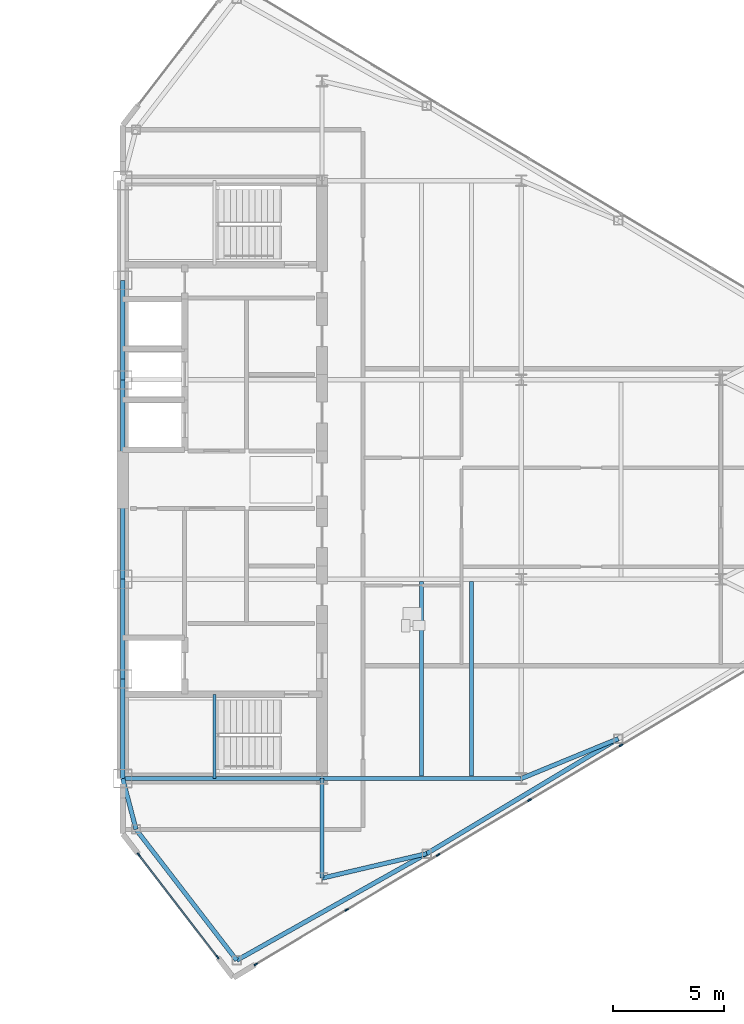
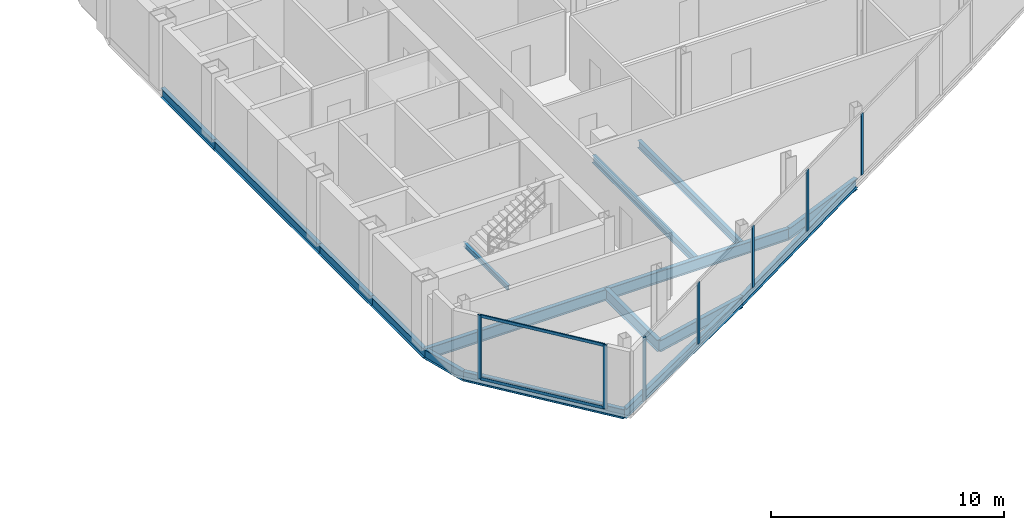
# One storey, part 11 of 26: 16 beams, 9 members, 2 elements without a shape of their own.
"""IFC4 building model written with IfcOpenShell, lengths in metres."""

from ifc_helpers import new_model, si_unit, direction, frame, origin, origin_2d, place, context, subcontext, project, spatial, rectangle, i_section, extrude, source, transform, mapped, material, layer, layer_set, material_profile, profile_set, type_object, type_shapes, element, aggregate, save


model = new_model("IFC4")

# Units and contexts
model_context = context("Model", 3, precision=1e-05, world=origin(), true_north=direction((0.0, 1.0)))
body_context = subcontext(model_context, "Body", "Model", "MODEL_VIEW")
ifc_project = project(units=[si_unit("LENGTHUNIT", "METRE"), si_unit("AREAUNIT", "SQUARE_METRE"), si_unit("VOLUMEUNIT", "CUBIC_METRE"), si_unit("PLANEANGLEUNIT", "RADIAN"), si_unit("MASSUNIT", "GRAM", prefix="KILO")], contexts=[model_context])

# Site, building, storey
site_placement = place(None, origin())
site = spatial("IfcSite", under=ifc_project, at=site_placement, CompositionType="ELEMENT")
building_placement = place(site_placement, origin())
building = spatial("IfcBuilding", under=site, at=building_placement, Name="Seokmaru Belvedere", CompositionType="ELEMENT")
storey_placement = place(building_placement, frame((0.0, 0.0, 221.10009765625)))
storey = spatial("IfcBuildingStorey", under=building, at=storey_placement, Name="L59", CompositionType="ELEMENT", Elevation=221.10009765625)

# Beams
ifc_material_1 = material(Name="Steel SM355 (355 MPa)", Category="steel")
ifc_material_profile_1 = material_profile(ifc_material_1, i_section(OverallWidth=0.199951171875, OverallDepth=0.5, WebThickness=0.010009765625, FlangeThickness=0.01611328125, at=origin_2d()), Name="H-500x200x10x16")
ifc_profile_set_1 = profile_set([ifc_material_profile_1], Name="Steel SM355 (355 MPa)")
beam_type_1 = type_object("IfcBeamType", Name="Perimeter Spandrel Beam H-500", PredefinedType="SPANDREL", material=ifc_profile_set_1)
shared_shape_1 = source(origin(), body_context, "Body", "SweptSolid", [
    extrude(i_section(OverallWidth=0.199951171875, OverallDepth=0.5, WebThickness=0.010009765625, FlangeThickness=0.01611328125, at=origin_2d()), origin(), (0.0, 0.0, 1.0), 4.5),
])
for number, where, z_axis, x_axis, name in (
    (1, (27.5, -13.5, -0.47021484375), (0.0, 1.0, 0.0), (-1.0, 0.0, 0.0), "L59 E Portal Spine Spandrel 1"),
    (2, (27.5, -9.0, -0.47021484375), (0.0, 1.0, 0.0), (-1.0, 0.0, 0.0), "L59 E Portal Spine Spandrel 2"),
    (3, (27.5, 4.5, -0.47021484375), (0.0, 1.0, 0.0), (-1.0, 0.0, 0.0), "L59 E Portal Spine Spandrel 4"),
):
    element("IfcBeam", number, at=place(storey_placement, frame(where, z_axis=z_axis, x_axis=x_axis)), inside=storey, type_object=beam_type_1, Name=name, PredefinedType="SPANDREL", context=body_context, shape_type="MappedRepresentation", body=[
        mapped(shared_shape_1, transform((0.0, 0.0, 0.0), scale=1.0)),
    ])
shared_shape_2 = source(origin(), body_context, "Body", "SweptSolid", [
    extrude(i_section(OverallWidth=0.199951171875, OverallDepth=0.5, WebThickness=0.010009765625, FlangeThickness=0.01611328125, at=origin_2d()), origin(), (0.0, 0.0, 1.0), 9.0),
])
beam_1_placement = place(storey_placement, frame((27.5, -4.5, -0.47021484375), z_axis=(0.0, 1.0, 0.0), x_axis=(-1.0, 0.0, 0.0)))
element("IfcBeam", 4, at=beam_1_placement, inside=storey, type_object=beam_type_1, Name="L59 E Portal Spine Spandrel 3", PredefinedType="SPANDREL", context=body_context, shape_type="MappedRepresentation", body=[
    mapped(shared_shape_2, transform((0.0, 0.0, 0.0), scale=1.0)),
])
ifc_material_profile_2 = material_profile(ifc_material_1, i_section(OverallWidth=0.199951171875, OverallDepth=0.60009765625, WebThickness=0.010986328125, FlangeThickness=0.01708984375, at=origin_2d()), Name="H-600x200x11x17")
ifc_profile_set_2 = profile_set([ifc_material_profile_2], Name="Steel SM355 (355 MPa)")
beam_type_2 = type_object("IfcBeamType", Name="Primary Floor Girder H-600", PredefinedType="BEAM", material=ifc_profile_set_2)
shared_shape_3 = source(origin(), body_context, "Body", "SweptSolid", [
    extrude(i_section(OverallWidth=0.199951171875, OverallDepth=0.60009765625, WebThickness=0.010986328125, FlangeThickness=0.01708984375, at=origin_2d()), origin(), (0.0, 0.0, 1.0), 9.0),
])
for number, where, z_axis, x_axis, name in (
    (5, (27.5, -13.5, -0.52001953125), (1.0, 0.0, 0.0), (0.0, 1.0, 0.0), "L59 E Core Tie Girder 1"),
    (6, (36.5, -13.5, -0.52001953125), (1.0, 0.0, 0.0), (0.0, 1.0, 0.0), "L59 E Wing Primary Girder 1"),
):
    element("IfcBeam", number, at=place(storey_placement, frame(where, z_axis=z_axis, x_axis=x_axis)), inside=storey, type_object=beam_type_2, Name=name, PredefinedType="BEAM", context=body_context, shape_type="MappedRepresentation", body=[
        mapped(shared_shape_3, transform((0.0, 0.0, 0.0), scale=1.0)),
    ])
ifc_material_profile_3 = material_profile(ifc_material_1, i_section(OverallWidth=0.18505859375, OverallDepth=0.389892578125, WebThickness=0.008056640625, FlangeThickness=0.011962890625, at=origin_2d()), Name="H-390x185x8x12")
ifc_profile_set_3 = profile_set([ifc_material_profile_3], Name="Steel SM355 (355 MPa)")
beam_type_3 = type_object("IfcBeamType", Name="Secondary Floor Joist H-350", PredefinedType="JOIST", material=ifc_profile_set_3)
shared_shape_4 = source(origin(), body_context, "Body", "SweptSolid", [
    extrude(i_section(OverallWidth=0.18505859375, OverallDepth=0.389892578125, WebThickness=0.008056640625, FlangeThickness=0.011962890625, at=origin_2d()), origin(), (0.0, 0.0, 1.0), 8.7900390625),
])
type_shapes(beam_type_3, [shared_shape_4])
for number, where, z_axis, x_axis, name in (
    (7, (43.25, -13.39501953125, -0.4150390625), (0.0, 1.0, 0.0), (-1.0, 0.0, 0.0), "L59 E Wing Inner Secondary Joist 1"),
    (8, (41.0, -13.39501953125, -0.4150390625), (0.0, 1.0, 0.0), (-1.0, 0.0, 0.0), "L59 E Secondary Floor Joist 1"),
):
    element("IfcBeam", number, at=place(storey_placement, frame(where, z_axis=z_axis, x_axis=x_axis)), inside=storey, type_object=beam_type_3, Name=name, PredefinedType="JOIST", context=body_context, shape_type="MappedRepresentation", body=[
        mapped(shared_shape_4, transform((0.0, 0.0, 0.0), scale=1.0)),
    ])
shared_shape_5 = source(origin(), body_context, "Body", "SweptSolid", [
    extrude(i_section(OverallWidth=0.199951171875, OverallDepth=0.60009765625, WebThickness=0.010986328125, FlangeThickness=0.01708984375, at=origin_2d()), origin(), (0.0, 0.0, 1.0), 4.5),
])
beam_2_placement = place(storey_placement, frame((36.5, -18.0, -0.52001953125), z_axis=(0.0, 1.0, 0.0), x_axis=(-1.0, 0.0, 0.0)))
element("IfcBeam", 9, at=beam_2_placement, inside=storey, type_object=beam_type_2, Name="L59 E Core Shoulder Girder S", PredefinedType="BEAM", context=body_context, shape_type="MappedRepresentation", body=[
    mapped(shared_shape_5, transform((0.0, 0.0, 0.0), scale=1.0)),
])
shared_shape_6 = source(origin(), body_context, "Body", "SweptSolid", [
    extrude(i_section(OverallWidth=0.199951171875, OverallDepth=0.5, WebThickness=0.010009765625, FlangeThickness=0.01611328125, at=origin_2d()), origin(), (0.0, 0.0, 1.0), 9.842041015625),
])
beam_3_placement = place(storey_placement, frame((32.649658203125, -21.71044921875, -0.47021484375), z_axis=(0.871782151818, 0.489893743349, 0.0), x_axis=(-0.489893743349, 0.871782151818, 0.0)))
element("IfcBeam", 10, at=beam_3_placement, inside=storey, type_object=beam_type_1, Name="L59 E Faceted Flank Spandrel S-1", PredefinedType="SPANDREL", context=body_context, shape_type="MappedRepresentation", body=[
    mapped(shared_shape_6, transform((0.0, 0.0, 0.0), scale=1.0)),
])
shared_shape_7 = source(origin(), body_context, "Body", "SweptSolid", [
    extrude(i_section(OverallWidth=0.199951171875, OverallDepth=0.5, WebThickness=0.010009765625, FlangeThickness=0.01611328125, at=origin_2d()), origin(), (0.0, 0.0, 1.0), 10.087646484375),
])
beam_4_placement = place(storey_placement, frame((41.229736328125, -16.888916015625, -0.47021484375), z_axis=(0.857499332045, 0.514485078056, 0.0), x_axis=(-0.514485078056, 0.857499332045, 0.0)))
element("IfcBeam", 11, at=beam_4_placement, inside=storey, type_object=beam_type_1, Name="L59 E Faceted Flank Spandrel S-2", PredefinedType="SPANDREL", context=body_context, shape_type="MappedRepresentation", body=[
    mapped(shared_shape_7, transform((0.0, 0.0, 0.0), scale=1.0)),
])
shared_shape_8 = source(origin(), body_context, "Body", "SweptSolid", [
    extrude(i_section(OverallWidth=0.199951171875, OverallDepth=0.5, WebThickness=0.010009765625, FlangeThickness=0.01611328125, at=origin_2d()), origin(), (0.0, 0.0, 1.0), 7.4619140625),
])
beam_5_placement = place(storey_placement, frame((32.649658203125, -21.71044921875, -0.47021484375), z_axis=(-0.609702854945, 0.792630070507, 0.0), x_axis=(-0.792630070507, -0.609702854945, 0.0)))
element("IfcBeam", 12, at=beam_5_placement, inside=storey, type_object=beam_type_1, Name="L59 E Shoulder Chamfer Spandrel S", PredefinedType="SPANDREL", context=body_context, shape_type="MappedRepresentation", body=[
    mapped(shared_shape_8, transform((0.0, 0.0, 0.0), scale=1.0)),
])
shared_shape_9 = source(origin(), body_context, "Body", "SweptSolid", [
    extrude(i_section(OverallWidth=0.199951171875, OverallDepth=0.5, WebThickness=0.010009765625, FlangeThickness=0.01611328125, at=origin_2d()), origin(), (0.0, 0.0, 1.0), 2.373046875),
])
type_shapes(beam_type_1, [shared_shape_1, shared_shape_2, shared_shape_6, shared_shape_7, shared_shape_8, shared_shape_9])
beam_6_placement = place(storey_placement, frame((28.10009765625, -15.7958984375, -0.47021484375), z_axis=(-0.252882558842, 0.967496982648, 0.0), x_axis=(-0.967496982648, -0.252882558842, 0.0)))
element("IfcBeam", 13, at=beam_6_placement, inside=storey, type_object=beam_type_1, Name="L59 E Shoulder Spine Spandrel S", PredefinedType="SPANDREL", context=body_context, shape_type="MappedRepresentation", body=[
    mapped(shared_shape_9, transform((0.0, 0.0, 0.0), scale=1.0)),
])
shared_shape_10 = source(origin(), body_context, "Body", "SweptSolid", [
    extrude(i_section(OverallWidth=0.199951171875, OverallDepth=0.60009765625, WebThickness=0.010986328125, FlangeThickness=0.01708984375, at=origin_2d()), origin(), (0.0, 0.0, 1.0), 4.8583984375),
])
beam_7_placement = place(storey_placement, frame((41.229736328125, -16.888916015625, -0.52001953125), z_axis=(-0.97349948295, -0.228689214211, 0.0), x_axis=(0.228689214211, -0.97349948295, 0.0)))
element("IfcBeam", 14, at=beam_7_placement, inside=storey, type_object=beam_type_2, Name="L59 E Flank Radial Floor Girder S-1", PredefinedType="BEAM", context=body_context, shape_type="MappedRepresentation", body=[
    mapped(shared_shape_10, transform((0.0, 0.0, 0.0), scale=1.0)),
])
shared_shape_11 = source(origin(), body_context, "Body", "SweptSolid", [
    extrude(i_section(OverallWidth=0.199951171875, OverallDepth=0.60009765625, WebThickness=0.010986328125, FlangeThickness=0.01708984375, at=origin_2d()), origin(), (0.0, 0.0, 1.0), 4.73583984375),
])
type_shapes(beam_type_2, [shared_shape_3, shared_shape_5, shared_shape_10, shared_shape_11])
beam_8_placement = place(storey_placement, frame((49.8798828125, -11.698974609375, -0.52001953125), z_axis=(-0.924860562953, -0.380306375301, 0.0), x_axis=(0.380306375301, -0.924860562953, 0.0)))
element("IfcBeam", 15, at=beam_8_placement, inside=storey, type_object=beam_type_2, Name="L59 E Flank Radial Floor Girder S-2", PredefinedType="BEAM", context=body_context, shape_type="MappedRepresentation", body=[
    mapped(shared_shape_11, transform((0.0, 0.0, 0.0), scale=1.0)),
])

# Curtain wall, members
ifc_material_2 = material(Name="Bronze Triple Insulating Glass", Category="glass")
ifc_layer = layer(ifc_material_2, 0.179931640625)
ifc_layer_set = layer_set([ifc_layer], Name="Bronze Triple Insulating Glass")
curtain_wall_type = type_object("IfcCurtainWallType", Name="High-Rise Wind-Corner Curtain Wall System CW-5", PredefinedType="NOTDEFINED", material=ifc_layer_set)
curtain_wall_1_placement = place(storey_placement, origin())
curtain_wall_1 = element("IfcCurtainWall", 16, at=curtain_wall_1_placement, inside=storey, type_object=curtain_wall_type, Name="L59 Curtain Wall EF1", PredefinedType="NOTDEFINED")
ifc_material_3 = material(Name="Anodised Bronze Aluminium", Category="aluminium")
ifc_material_profile_4 = material_profile(ifc_material_3, rectangle(XDim=0.06494140625, YDim=0.179931640625, at=origin_2d()), Name="CW-M-65x180")
ifc_profile_set_4 = profile_set([ifc_material_profile_4], Name="Anodised Bronze Aluminium")
member_type_1 = type_object("IfcMemberType", Name="Bronze Unitised Mullion 65x180", PredefinedType="MULLION", material=ifc_profile_set_4)
shared_shape_12 = source(origin(), body_context, "Body", "SweptSolid", [
    extrude(rectangle(XDim=0.06494140625, YDim=0.179931640625, at=origin_2d()), origin(), (0.0, 0.0, 1.0), 3.2099609375),
])
member_1_placement = place(storey_placement, frame((37.614501953125, -19.43115234375, 0.06494140625), z_axis=(0.0, 0.0, 1.0), x_axis=(-0.514494909364, 0.85749343335, 0.0)))
member_1 = element("IfcMember", 17, at=member_1_placement, type_object=member_type_1, Name="CW:L59:EF1 Mullion 2", PredefinedType="MULLION", context=body_context, shape_type="MappedRepresentation", body=[
    mapped(shared_shape_12, transform((0.0, 0.0, 0.0), scale=1.0)),
])
member_2_placement = place(storey_placement, frame((41.7431640625, -16.9541015625, 0.06494140625), z_axis=(0.0, 0.0, 1.0), x_axis=(-0.514494909364, 0.85749343335, 0.0)))
member_2 = element("IfcMember", 18, at=member_2_placement, type_object=member_type_1, Name="CW:L59:EF1 Mullion 3", PredefinedType="MULLION", context=body_context, shape_type="MappedRepresentation", body=[
    mapped(shared_shape_12, transform((0.0, 0.0, 0.0), scale=1.0)),
])
member_3_placement = place(storey_placement, frame((45.87158203125, -14.47705078125, 0.06494140625), z_axis=(0.0, 0.0, 1.0), x_axis=(-0.514494909364, 0.85749343335, 0.0)))
member_3 = element("IfcMember", 19, at=member_3_placement, type_object=member_type_1, Name="CW:L59:EF1 Mullion 4", PredefinedType="MULLION", context=body_context, shape_type="MappedRepresentation", body=[
    mapped(shared_shape_12, transform((0.0, 0.0, 0.0), scale=1.0)),
])
member_4_placement = place(storey_placement, frame((50.0, -12.0, 0.06494140625), z_axis=(0.0, 0.0, 1.0), x_axis=(-0.514494909364, 0.85749343335, 0.0)))
member_4 = element("IfcMember", 20, at=member_4_placement, type_object=member_type_1, Name="CW:L59:EF1 Mullion 5", PredefinedType="MULLION", context=body_context, shape_type="MappedRepresentation", body=[
    mapped(shared_shape_12, transform((0.0, 0.0, 0.0), scale=1.0)),
])

curtain_wall_2_placement = place(storey_placement, origin())
curtain_wall_2 = element("IfcCurtainWall", 21, at=curtain_wall_2_placement, inside=storey, type_object=curtain_wall_type, Name="L59 Curtain Wall EF6", PredefinedType="NOTDEFINED")
ifc_material_profile_5 = material_profile(ifc_material_3, rectangle(XDim=0.06494140625, YDim=0.14990234375, at=origin_2d()), Name="CW-T-65x150")
ifc_profile_set_5 = profile_set([ifc_material_profile_5], Name="Anodised Bronze Aluminium")
member_type_2 = type_object("IfcMemberType", Name="Bronze Unitised Transom 65x150", PredefinedType="USERDEFINED", material=ifc_profile_set_5)
shared_shape_13 = source(origin(), body_context, "Body", "SweptSolid", [
    extrude(rectangle(XDim=0.06494140625, YDim=0.14990234375, at=origin_2d()), origin(), (0.0, 0.0, 1.0), 5.77099609375),
])
type_shapes(member_type_2, [shared_shape_13])
member_5_placement = place(storey_placement, frame((28.24072265625, -16.962890625, 0.032470703125), z_axis=(0.60970258286, -0.792630279799, 0.0), x_axis=(0.792630279799, 0.60970258286, 0.0)))
member_5 = element("IfcMember", 22, at=member_5_placement, type_object=member_type_2, Name="CW:L59:EF6 Continuous Transom 1", ObjectType="TRANSOM", PredefinedType="USERDEFINED", context=body_context, shape_type="MappedRepresentation", body=[
    mapped(shared_shape_13, transform((0.0, 0.0, 0.0), scale=1.0)),
])
member_6_placement = place(storey_placement, frame((28.24072265625, -16.962890625, 3.307373046875), z_axis=(0.60970258286, -0.792630279799, 0.0), x_axis=(0.792630279799, 0.60970258286, 0.0)))
member_6 = element("IfcMember", 23, at=member_6_placement, type_object=member_type_2, Name="CW:L59:EF6 Continuous Transom 2", ObjectType="TRANSOM", PredefinedType="USERDEFINED", context=body_context, shape_type="MappedRepresentation", body=[
    mapped(shared_shape_13, transform((0.0, 0.0, 0.0), scale=1.0)),
])

# Member
shared_shape_14 = source(origin(), body_context, "Body", "SweptSolid", [
    extrude(rectangle(XDim=0.06494140625, YDim=0.179931640625, at=origin_2d()), origin(), (0.0, 0.0, 1.0), 3.33984375),
])
type_shapes(member_type_1, [shared_shape_12, shared_shape_14])
member_7_placement = place(storey_placement, frame((33.513916015625, -21.8916015625, 0.0), z_axis=(0.0, 0.0, 1.0), x_axis=(-0.514494909364, 0.85749343335, 0.0)))
member_7 = element("IfcMember", 24, at=member_7_placement, type_object=member_type_1, Name="CW:L59:EF1 Mullion 1", PredefinedType="MULLION", context=body_context, shape_type="MappedRepresentation", body=[
    mapped(shared_shape_14, transform((0.0, 0.0, 0.0), scale=1.0)),
])

aggregate(curtain_wall_1, [member_7, member_1, member_2, member_3, member_4])

member_8_placement = place(storey_placement, frame((28.220947265625, -16.937255859375, 0.0), z_axis=(0.0, 0.0, 1.0), x_axis=(0.792631353244, 0.609701187349, 0.0)))
member_8 = element("IfcMember", 25, at=member_8_placement, type_object=member_type_1, Name="CW:L59:EF6 Mullion 1", PredefinedType="MULLION", context=body_context, shape_type="MappedRepresentation", body=[
    mapped(shared_shape_14, transform((0.0, 0.0, 0.0), scale=1.0)),
])

member_9_placement = place(storey_placement, frame((31.779052734375, -21.562744140625, 0.0), z_axis=(0.0, 0.0, 1.0), x_axis=(0.792631353244, 0.609701187349, 0.0)))
member_9 = element("IfcMember", 26, at=member_9_placement, type_object=member_type_1, Name="CW:L59:EF6 Mullion 2", PredefinedType="MULLION", context=body_context, shape_type="MappedRepresentation", body=[
    mapped(shared_shape_14, transform((0.0, 0.0, 0.0), scale=1.0)),
])

aggregate(curtain_wall_2, [member_8, member_9, member_5, member_6])

# Beam
ifc_material_profile_6 = material_profile(ifc_material_1, i_section(OverallWidth=0.125, OverallDepth=0.25, WebThickness=0.006103515625, FlangeThickness=0.009033203125, at=origin_2d()), Name="H-250x125x6x9")
ifc_profile_set_6 = profile_set([ifc_material_profile_6], Name="Steel SM355 (355 MPa)")
beam_type_4 = type_object("IfcBeamType", Name="Stair Mid-Landing Support Beam H-250", PredefinedType="JOIST", material=ifc_profile_set_6)
shared_shape_15 = source(origin(), body_context, "Body", "SweptSolid", [
    extrude(i_section(OverallWidth=0.125, OverallDepth=0.25, WebThickness=0.006103515625, FlangeThickness=0.009033203125, at=origin_2d()), origin(), (0.0, 0.0, 1.0), 3.800048828125),
])
type_shapes(beam_type_4, [shared_shape_15])
beam_9_placement = place(storey_placement, frame((31.64990234375, -13.5, 1.474853515625), z_axis=(0.0, 1.0, 0.0), x_axis=(-1.0, 0.0, 0.0)))
element("IfcBeam", 27, at=beam_9_placement, inside=storey, type_object=beam_type_4, Name="L59 Stair ST-E1 Mid-Landing Support Beam 1", PredefinedType="JOIST", context=body_context, shape_type="MappedRepresentation", body=[
    mapped(shared_shape_15, transform((0.0, 0.0, 0.0), scale=1.0)),
])

save(model, "model.ifc")
